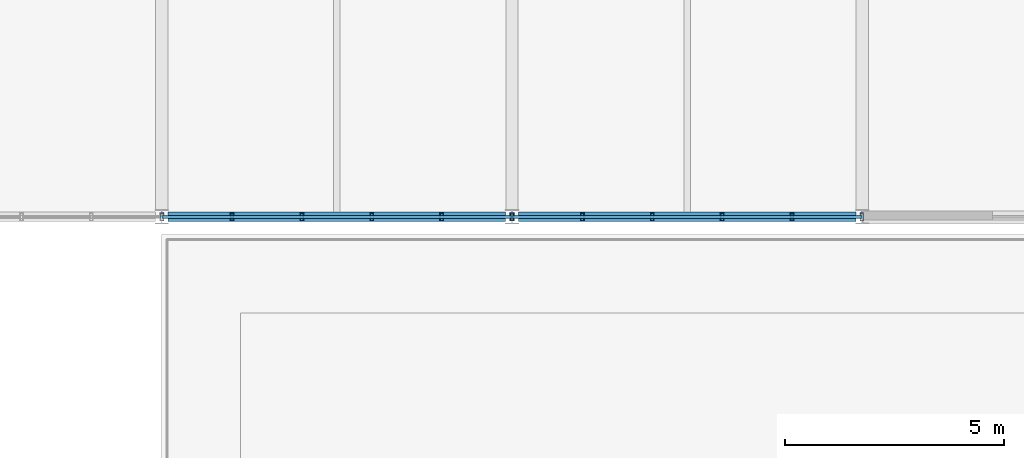
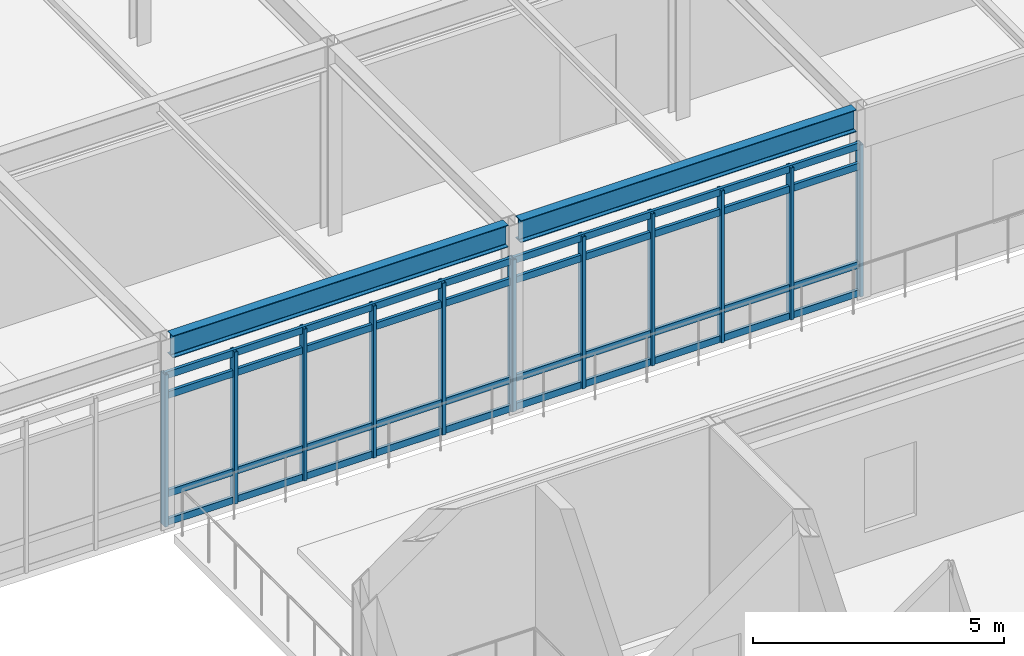
# One storey, part 49 of 100: 20 members, 2 beams, 2 elements without a shape of their own.
"""IFC4 building model written with IfcOpenShell, lengths in metres."""

from ifc_helpers import new_model, si_unit, direction, frame, origin, origin_2d, place, context, subcontext, project, spatial, hollow_rectangle, i_section, extrude, material, material_profile, profile_set, type_object, element, aggregate, save


model = new_model("IFC4")

# Units and contexts
model_context = context("Model", 3, precision=1e-05, world=origin(), true_north=direction((0.0, 1.0)))
body_context = subcontext(model_context, "Body", "Model", "MODEL_VIEW")
ifc_project = project(units=[si_unit("LENGTHUNIT", "METRE"), si_unit("AREAUNIT", "SQUARE_METRE"), si_unit("VOLUMEUNIT", "CUBIC_METRE"), si_unit("PLANEANGLEUNIT", "RADIAN"), si_unit("MASSUNIT", "GRAM", prefix="KILO")], contexts=[model_context])

# Site, building, storey
site_placement = place(None, origin())
site = spatial("IfcSite", under=ifc_project, at=site_placement, CompositionType="ELEMENT")
building_placement = place(site_placement, origin())
building = spatial("IfcBuilding", under=site, at=building_placement, Name="Zulena Civic Courthouse", CompositionType="ELEMENT")
storey_placement = place(building_placement, frame((0.0, 0.0, 20.39990234375)))
storey = spatial("IfcBuildingStorey", under=building, at=storey_placement, Name="L04", CompositionType="ELEMENT", Elevation=20.39990234375)

# Curtain wall, members
ifc_material_1 = material(Name="Double-silver low-E laminated solar-control glass", Category="glass")
curtain_wall_type = type_object("IfcCurtainWallType", Name="CW_7976x3690", PredefinedType="USERDEFINED", material=ifc_material_1)
curtain_wall_1_placement = place(storey_placement, origin())
curtain_wall_1 = element("IfcCurtainWall", 1, at=curtain_wall_1_placement, inside=storey, type_object=curtain_wall_type, Name="cw:V5:L04:5:3", ObjectType="UNITISED CURTAIN WALL", PredefinedType="USERDEFINED")
ifc_material_2 = material(Name="Bronze anodised thermally broken aluminium AA6063-T6", Category="aluminium")
ifc_material_profile_1 = material_profile(ifc_material_2, hollow_rectangle(XDim=0.074951171875, YDim=0.179931640625, WallThickness=0.0048828125, at=origin_2d()), Name="CWM180X75X5")
ifc_profile_set_1 = profile_set([ifc_material_profile_1], Name="Bronze anodised thermally broken aluminium AA6063-T6")
member_type_1 = type_object("IfcMemberType", Name="CWMullion_180x75", PredefinedType="MULLION", material=ifc_profile_set_1)
member_1_placement = place(storey_placement, frame((83.988037109375, 46.0, 0.0), z_axis=(0.0, 0.0, 1.0), x_axis=(1.0, 0.0, 0.0)))
member_1 = element("IfcMember", 2, at=member_1_placement, type_object=member_type_1, Name="cw:V5:L04:5:3:mull:0", PredefinedType="MULLION", context=body_context, shape_type="SweptSolid", body=[
    extrude(hollow_rectangle(XDim=0.074951171875, YDim=0.179931640625, WallThickness=0.0048828125, at=origin_2d()), origin(), (0.0, 0.0, 1.0), 3.690185546875),
])
member_2_placement = place(storey_placement, frame((82.392822265625, 46.0, 0.0), z_axis=(0.0, 0.0, 1.0), x_axis=(1.0, 0.0, 0.0)))
member_2 = element("IfcMember", 3, at=member_2_placement, type_object=member_type_1, Name="cw:V5:L04:5:3:mull:1", PredefinedType="MULLION", context=body_context, shape_type="SweptSolid", body=[
    extrude(hollow_rectangle(XDim=0.074951171875, YDim=0.179931640625, WallThickness=0.0048828125, at=origin_2d()), origin(), (0.0, 0.0, 1.0), 3.690185546875),
])
member_3_placement = place(storey_placement, frame((80.797607421875, 46.0, 0.0), z_axis=(0.0, 0.0, 1.0), x_axis=(1.0, 0.0, 0.0)))
member_3 = element("IfcMember", 4, at=member_3_placement, type_object=member_type_1, Name="cw:V5:L04:5:3:mull:2", PredefinedType="MULLION", context=body_context, shape_type="SweptSolid", body=[
    extrude(hollow_rectangle(XDim=0.074951171875, YDim=0.179931640625, WallThickness=0.0048828125, at=origin_2d()), origin(), (0.0, 0.0, 1.0), 3.690185546875),
])
member_4_placement = place(storey_placement, frame((79.202392578125, 46.0, 0.0), z_axis=(0.0, 0.0, 1.0), x_axis=(1.0, 0.0, 0.0)))
member_4 = element("IfcMember", 5, at=member_4_placement, type_object=member_type_1, Name="cw:V5:L04:5:3:mull:3", PredefinedType="MULLION", context=body_context, shape_type="SweptSolid", body=[
    extrude(hollow_rectangle(XDim=0.074951171875, YDim=0.179931640625, WallThickness=0.0048828125, at=origin_2d()), origin(), (0.0, 0.0, 1.0), 3.690185546875),
])
member_5_placement = place(storey_placement, frame((77.607177734375, 46.0, 0.0), z_axis=(0.0, 0.0, 1.0), x_axis=(1.0, 0.0, 0.0)))
member_5 = element("IfcMember", 6, at=member_5_placement, type_object=member_type_1, Name="cw:V5:L04:5:3:mull:4", PredefinedType="MULLION", context=body_context, shape_type="SweptSolid", body=[
    extrude(hollow_rectangle(XDim=0.074951171875, YDim=0.179931640625, WallThickness=0.0048828125, at=origin_2d()), origin(), (0.0, 0.0, 1.0), 3.690185546875),
])
member_6_placement = place(storey_placement, frame((76.011962890625, 46.0, 0.0), z_axis=(0.0, 0.0, 1.0), x_axis=(1.0, 0.0, 0.0)))
member_6 = element("IfcMember", 7, at=member_6_placement, type_object=member_type_1, Name="cw:V5:L04:5:3:mull:5", PredefinedType="MULLION", context=body_context, shape_type="SweptSolid", body=[
    extrude(hollow_rectangle(XDim=0.074951171875, YDim=0.179931640625, WallThickness=0.0048828125, at=origin_2d()), origin(), (0.0, 0.0, 1.0), 3.690185546875),
])

curtain_wall_2_placement = place(storey_placement, origin())
curtain_wall_2 = element("IfcCurtainWall", 8, at=curtain_wall_2_placement, inside=storey, type_object=curtain_wall_type, Name="cw:V5:L04:5:4", ObjectType="UNITISED CURTAIN WALL", PredefinedType="USERDEFINED")
member_7_placement = place(storey_placement, frame((75.988037109375, 46.0, 0.0), z_axis=(0.0, 0.0, 1.0), x_axis=(1.0, 0.0, 0.0)))
member_7 = element("IfcMember", 9, at=member_7_placement, type_object=member_type_1, Name="cw:V5:L04:5:4:mull:0", PredefinedType="MULLION", context=body_context, shape_type="SweptSolid", body=[
    extrude(hollow_rectangle(XDim=0.074951171875, YDim=0.179931640625, WallThickness=0.0048828125, at=origin_2d()), origin(), (0.0, 0.0, 1.0), 3.690185546875),
])
member_8_placement = place(storey_placement, frame((74.392822265625, 46.0, 0.0), z_axis=(0.0, 0.0, 1.0), x_axis=(1.0, 0.0, 0.0)))
member_8 = element("IfcMember", 10, at=member_8_placement, type_object=member_type_1, Name="cw:V5:L04:5:4:mull:1", PredefinedType="MULLION", context=body_context, shape_type="SweptSolid", body=[
    extrude(hollow_rectangle(XDim=0.074951171875, YDim=0.179931640625, WallThickness=0.0048828125, at=origin_2d()), origin(), (0.0, 0.0, 1.0), 3.690185546875),
])
member_9_placement = place(storey_placement, frame((72.797607421875, 46.0, 0.0), z_axis=(0.0, 0.0, 1.0), x_axis=(1.0, 0.0, 0.0)))
member_9 = element("IfcMember", 11, at=member_9_placement, type_object=member_type_1, Name="cw:V5:L04:5:4:mull:2", PredefinedType="MULLION", context=body_context, shape_type="SweptSolid", body=[
    extrude(hollow_rectangle(XDim=0.074951171875, YDim=0.179931640625, WallThickness=0.0048828125, at=origin_2d()), origin(), (0.0, 0.0, 1.0), 3.690185546875),
])
member_10_placement = place(storey_placement, frame((71.202392578125, 46.0, 0.0), z_axis=(0.0, 0.0, 1.0), x_axis=(1.0, 0.0, 0.0)))
member_10 = element("IfcMember", 12, at=member_10_placement, type_object=member_type_1, Name="cw:V5:L04:5:4:mull:3", PredefinedType="MULLION", context=body_context, shape_type="SweptSolid", body=[
    extrude(hollow_rectangle(XDim=0.074951171875, YDim=0.179931640625, WallThickness=0.0048828125, at=origin_2d()), origin(), (0.0, 0.0, 1.0), 3.690185546875),
])
member_11_placement = place(storey_placement, frame((69.607177734375, 46.0, 0.0), z_axis=(0.0, 0.0, 1.0), x_axis=(1.0, 0.0, 0.0)))
member_11 = element("IfcMember", 13, at=member_11_placement, type_object=member_type_1, Name="cw:V5:L04:5:4:mull:4", PredefinedType="MULLION", context=body_context, shape_type="SweptSolid", body=[
    extrude(hollow_rectangle(XDim=0.074951171875, YDim=0.179931640625, WallThickness=0.0048828125, at=origin_2d()), origin(), (0.0, 0.0, 1.0), 3.690185546875),
])
member_12_placement = place(storey_placement, frame((68.011962890625, 46.0, 0.0), z_axis=(0.0, 0.0, 1.0), x_axis=(1.0, 0.0, 0.0)))
member_12 = element("IfcMember", 14, at=member_12_placement, type_object=member_type_1, Name="cw:V5:L04:5:4:mull:5", PredefinedType="MULLION", context=body_context, shape_type="SweptSolid", body=[
    extrude(hollow_rectangle(XDim=0.074951171875, YDim=0.179931640625, WallThickness=0.0048828125, at=origin_2d()), origin(), (0.0, 0.0, 1.0), 3.690185546875),
])

# Member
ifc_material_profile_2 = material_profile(ifc_material_2, hollow_rectangle(XDim=0.070068359375, YDim=0.1650390625, WallThickness=0.00390625, at=origin_2d()), Name="CWT165X70X4")
ifc_profile_set_2 = profile_set([ifc_material_profile_2], Name="Bronze anodised thermally broken aluminium AA6063-T6")
member_type_2 = type_object("IfcMemberType", Name="CWTransom_165x70", PredefinedType="USERDEFINED", material=ifc_profile_set_2)
member_13_placement = place(storey_placement, frame((83.988037109375, 46.0, 0.06005859375), z_axis=(-1.0, 0.0, 0.0), x_axis=(0.0, -1.0, 0.0)))
member_13 = element("IfcMember", 15, at=member_13_placement, type_object=member_type_2, Name="cw:V5:L04:5:3:tran:0", ObjectType="TRANSOM", PredefinedType="USERDEFINED", context=body_context, shape_type="SweptSolid", body=[
    extrude(hollow_rectangle(XDim=0.070068359375, YDim=0.1650390625, WallThickness=0.00390625, at=origin_2d()), origin(), (0.0, 0.0, 1.0), 7.97607421875),
])

member_14_placement = place(storey_placement, frame((83.988037109375, 46.0, 0.75), z_axis=(-1.0, 0.0, 0.0), x_axis=(0.0, -1.0, 0.0)))
member_14 = element("IfcMember", 16, at=member_14_placement, type_object=member_type_2, Name="cw:V5:L04:5:3:tran:1", ObjectType="TRANSOM", PredefinedType="USERDEFINED", context=body_context, shape_type="SweptSolid", body=[
    extrude(hollow_rectangle(XDim=0.070068359375, YDim=0.1650390625, WallThickness=0.00390625, at=origin_2d()), origin(), (0.0, 0.0, 1.0), 7.97607421875),
])

member_15_placement = place(storey_placement, frame((83.988037109375, 46.0, 3.14013671875), z_axis=(-1.0, 0.0, 0.0), x_axis=(0.0, -1.0, 0.0)))
member_15 = element("IfcMember", 17, at=member_15_placement, type_object=member_type_2, Name="cw:V5:L04:5:3:tran:2", ObjectType="TRANSOM", PredefinedType="USERDEFINED", context=body_context, shape_type="SweptSolid", body=[
    extrude(hollow_rectangle(XDim=0.070068359375, YDim=0.1650390625, WallThickness=0.00390625, at=origin_2d()), origin(), (0.0, 0.0, 1.0), 7.97607421875),
])

member_16_placement = place(storey_placement, frame((83.988037109375, 46.0, 3.630126953125), z_axis=(-1.0, 0.0, 0.0), x_axis=(0.0, -1.0, 0.0)))
member_16 = element("IfcMember", 18, at=member_16_placement, type_object=member_type_2, Name="cw:V5:L04:5:3:tran:3", ObjectType="TRANSOM", PredefinedType="USERDEFINED", context=body_context, shape_type="SweptSolid", body=[
    extrude(hollow_rectangle(XDim=0.070068359375, YDim=0.1650390625, WallThickness=0.00390625, at=origin_2d()), origin(), (0.0, 0.0, 1.0), 7.97607421875),
])

aggregate(curtain_wall_1, [member_1, member_2, member_3, member_4, member_5, member_6, member_13, member_14, member_15, member_16])

member_17_placement = place(storey_placement, frame((75.988037109375, 46.0, 0.06005859375), z_axis=(-1.0, 0.0, 0.0), x_axis=(0.0, -1.0, 0.0)))
member_17 = element("IfcMember", 19, at=member_17_placement, type_object=member_type_2, Name="cw:V5:L04:5:4:tran:0", ObjectType="TRANSOM", PredefinedType="USERDEFINED", context=body_context, shape_type="SweptSolid", body=[
    extrude(hollow_rectangle(XDim=0.070068359375, YDim=0.1650390625, WallThickness=0.00390625, at=origin_2d()), origin(), (0.0, 0.0, 1.0), 7.97607421875),
])

member_18_placement = place(storey_placement, frame((75.988037109375, 46.0, 0.75), z_axis=(-1.0, 0.0, 0.0), x_axis=(0.0, -1.0, 0.0)))
member_18 = element("IfcMember", 20, at=member_18_placement, type_object=member_type_2, Name="cw:V5:L04:5:4:tran:1", ObjectType="TRANSOM", PredefinedType="USERDEFINED", context=body_context, shape_type="SweptSolid", body=[
    extrude(hollow_rectangle(XDim=0.070068359375, YDim=0.1650390625, WallThickness=0.00390625, at=origin_2d()), origin(), (0.0, 0.0, 1.0), 7.97607421875),
])

member_19_placement = place(storey_placement, frame((75.988037109375, 46.0, 3.14013671875), z_axis=(-1.0, 0.0, 0.0), x_axis=(0.0, -1.0, 0.0)))
member_19 = element("IfcMember", 21, at=member_19_placement, type_object=member_type_2, Name="cw:V5:L04:5:4:tran:2", ObjectType="TRANSOM", PredefinedType="USERDEFINED", context=body_context, shape_type="SweptSolid", body=[
    extrude(hollow_rectangle(XDim=0.070068359375, YDim=0.1650390625, WallThickness=0.00390625, at=origin_2d()), origin(), (0.0, 0.0, 1.0), 7.97607421875),
])

member_20_placement = place(storey_placement, frame((75.988037109375, 46.0, 3.630126953125), z_axis=(-1.0, 0.0, 0.0), x_axis=(0.0, -1.0, 0.0)))
member_20 = element("IfcMember", 22, at=member_20_placement, type_object=member_type_2, Name="cw:V5:L04:5:4:tran:3", ObjectType="TRANSOM", PredefinedType="USERDEFINED", context=body_context, shape_type="SweptSolid", body=[
    extrude(hollow_rectangle(XDim=0.070068359375, YDim=0.1650390625, WallThickness=0.00390625, at=origin_2d()), origin(), (0.0, 0.0, 1.0), 7.97607421875),
])

aggregate(curtain_wall_2, [member_7, member_8, member_9, member_10, member_11, member_12, member_17, member_18, member_19, member_20])

# Beams
ifc_material_3 = material(Name="Steel ASTM A992 Grade 50", Category="steel")
ifc_material_profile_3 = material_profile(ifc_material_3, i_section(OverallWidth=0.2099609375, OverallDepth=0.537109375, WebThickness=0.010986328125, FlangeThickness=0.017333984375, FilletRadius=0.0126953125, at=origin_2d()), Name="W21X68")
ifc_profile_set_3 = profile_set([ifc_material_profile_3], Name="Steel ASTM A992 Grade 50")
beam_type = type_object("IfcBeamType", Name="Spandrel_W21X68", PredefinedType="SPANDREL", material=ifc_profile_set_3)
for number, where, z_axis, x_axis, name in (
    (23, (68.14501953125, 46.0, 4.32666015625), (1.0, 0.0, 0.0), (0.0, 1.0, 0.0), "beam:X:V5:L04:46.0:68.0_76.0"),
    (24, (76.14501953125, 46.0, 4.32666015625), (1.0, 0.0, 0.0), (0.0, 1.0, 0.0), "beam:X:V5:L04:46.0:76.0_84.0"),
):
    element("IfcBeam", number, at=place(storey_placement, frame(where, z_axis=z_axis, x_axis=x_axis)), inside=storey, type_object=beam_type, Name=name, PredefinedType="SPANDREL", context=body_context, shape_type="SweptSolid", body=[
        extrude(i_section(OverallWidth=0.2099609375, OverallDepth=0.537109375, WebThickness=0.010986328125, FlangeThickness=0.017333984375, FilletRadius=0.0126953125, at=origin_2d()), origin(), (0.0, 0.0, 1.0), 7.7099609375),
    ])

save(model, "model.ifc")
